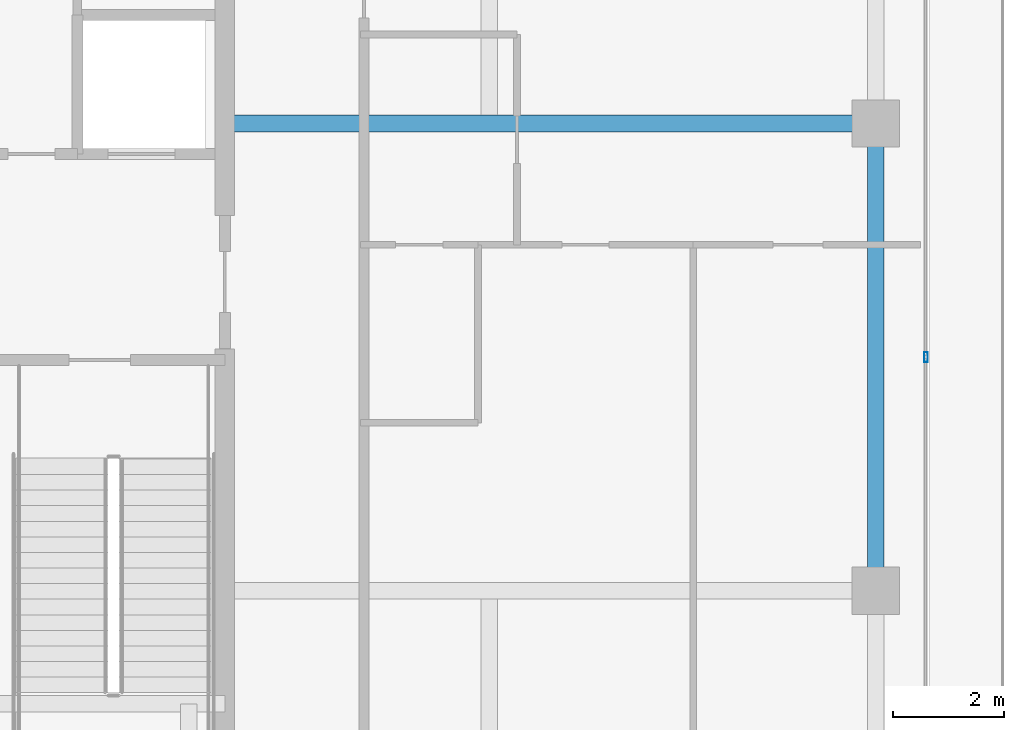
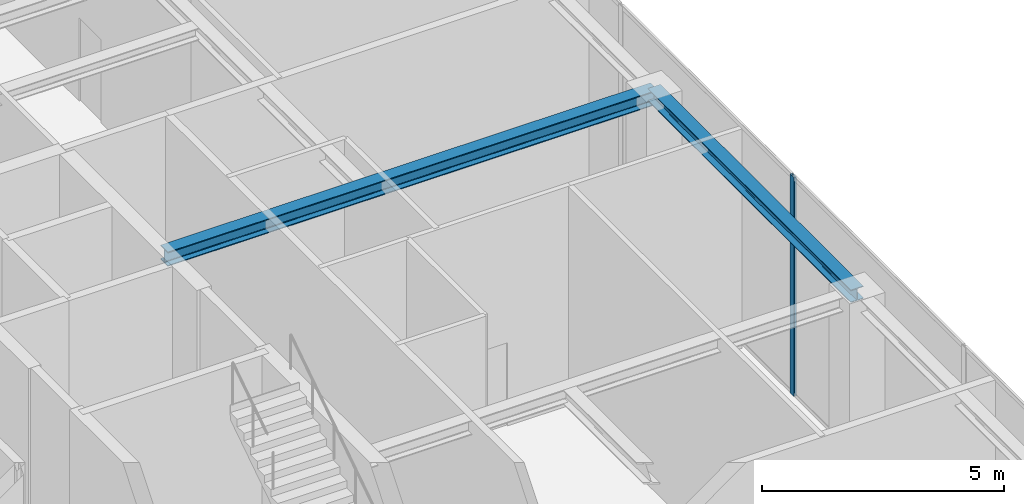
# One storey, part 15 of 38: 2 beams, 1 member, 1 element without a shape of its own.
"""IFC4 building model written with IfcOpenShell, lengths in metres."""

from ifc_helpers import new_model, si_unit, direction, frame, origin, origin_2d, place, context, subcontext, project, spatial, hollow_rectangle, i_section, extrude, source, transform, mapped, material, layer, layer_set, material_profile, profile_set, type_object, element, aggregate, save


model = new_model("IFC4")

# Units and contexts
model_context = context("Model", 3, precision=1e-05, world=origin(), true_north=direction((0.0, 1.0)))
body_context = subcontext(model_context, "Body", "Model", "MODEL_VIEW")
ifc_project = project(units=[si_unit("LENGTHUNIT", "METRE"), si_unit("AREAUNIT", "SQUARE_METRE"), si_unit("VOLUMEUNIT", "CUBIC_METRE"), si_unit("PLANEANGLEUNIT", "RADIAN"), si_unit("MASSUNIT", "GRAM", prefix="KILO")], contexts=[model_context])

# Site, building, storey
site_placement = place(None, origin())
site = spatial("IfcSite", under=ifc_project, at=site_placement, CompositionType="ELEMENT")
building_placement = place(site_placement, origin())
building = spatial("IfcBuilding", under=site, at=building_placement, Name="Serunith Strait Residences", CompositionType="ELEMENT")
storey_placement = place(building_placement, frame((0.0, 0.0, 353.85009765625)))
storey = spatial("IfcBuildingStorey", under=building, at=storey_placement, Name="L87", CompositionType="ELEMENT", Elevation=353.85009765625)

# Beams
ifc_material_1 = material(Name="Steel S355J2", Category="steel")
ifc_material_profile_1 = material_profile(ifc_material_1, i_section(OverallWidth=0.300048828125, OverallDepth=0.360107421875, WebThickness=0.012451171875, FlangeThickness=0.0224609375, FilletRadius=0.027099609375, at=origin_2d()), Name="HEB 360")
ifc_profile_set_1 = profile_set([ifc_material_profile_1], Name="Steel S355J2")
beam_type_1 = type_object("IfcBeamType", Name="BM-HEB360", PredefinedType="BEAM", material=ifc_profile_set_1)
shared_shape_1 = source(origin(), body_context, "Body", "SweptSolid", [
    extrude(i_section(OverallWidth=0.300048828125, OverallDepth=0.360107421875, WebThickness=0.012451171875, FlangeThickness=0.0224609375, FilletRadius=0.027099609375, at=origin_2d()), origin(), (0.0, 0.0, 1.0), 11.7001953125),
])
beam_1_placement = place(storey_placement, frame((41.39990234375, 29.39990234375, 5.35693359375), z_axis=(1.0, 0.0, 0.0), x_axis=(0.0, 1.0, 0.0)))
element("IfcBeam", 1, at=beam_1_placement, inside=storey, type_object=beam_type_1, Name="L87 Primary Floor Girder TC-E3", PredefinedType="BEAM", context=body_context, shape_type="MappedRepresentation", body=[
    mapped(shared_shape_1, transform((0.0, 0.0, 0.0), scale=1.0)),
])
ifc_material_profile_2 = material_profile(ifc_material_1, i_section(OverallWidth=0.300048828125, OverallDepth=0.320068359375, WebThickness=0.011474609375, FlangeThickness=0.0205078125, FilletRadius=0.027099609375, at=origin_2d()), Name="HEB 320")
ifc_profile_set_2 = profile_set([ifc_material_profile_2], Name="Steel S355J2")
beam_type_2 = type_object("IfcBeamType", Name="BM-HEB320", PredefinedType="BEAM", material=ifc_profile_set_2)
shared_shape_2 = source(origin(), body_context, "Body", "SweptSolid", [
    extrude(i_section(OverallWidth=0.300048828125, OverallDepth=0.320068359375, WebThickness=0.011474609375, FlangeThickness=0.0205078125, FilletRadius=0.027099609375, at=origin_2d()), origin(), (0.0, 0.0, 1.0), 8.39990234375),
])
beam_2_placement = place(storey_placement, frame((53.10009765625, 21.0, 5.376953125), z_axis=(0.0, 1.0, 0.0), x_axis=(-1.0, 0.0, 0.0)))
element("IfcBeam", 2, at=beam_2_placement, inside=storey, type_object=beam_type_2, Name="L87 Perimeter Ring Beam 06", PredefinedType="BEAM", context=body_context, shape_type="MappedRepresentation", body=[
    mapped(shared_shape_2, transform((0.0, 0.0, 0.0), scale=1.0)),
])

# Curtain wall, member
ifc_material_2 = material(Name="Brushed Stainless-Silver Aluminium", Category="aluminium")
ifc_layer = layer(ifc_material_2, 0.199951171875, Name="Brushed Stainless-Silver Aluminium")
ifc_layer_set = layer_set([ifc_layer], Name="Brushed Stainless-Silver Aluminium")
curtain_wall_type = type_object("IfcCurtainWallType", Name="CW-SYS5", PredefinedType="NOTDEFINED", material=ifc_layer_set)
curtain_wall_placement = place(storey_placement, origin())
curtain_wall = element("IfcCurtainWall", 3, at=curtain_wall_placement, inside=storey, type_object=curtain_wall_type, Name="L87 E Unitised Fritted Curtain Wall", PredefinedType="NOTDEFINED")
ifc_material_profile_3 = material_profile(ifc_material_2, hollow_rectangle(XDim=0.06494140625, YDim=0.179931640625, WallThickness=0.00341796875, InnerFilletRadius=0.00537109375, OuterFilletRadius=0.0087890625, at=origin_2d()), Name="ALU 180x65x3.5")
ifc_profile_set_3 = profile_set([ifc_material_profile_3], Name="Brushed Stainless-Silver Aluminium")
member_type = type_object("IfcMemberType", Name="CW-SYS5-MULL", PredefinedType="MULLION", material=ifc_profile_set_3)
shared_shape_3 = source(origin(), body_context, "Body", "SweptSolid", [
    extrude(hollow_rectangle(XDim=0.06494140625, YDim=0.179931640625, WallThickness=0.00341796875, InnerFilletRadius=0.00537109375, OuterFilletRadius=0.0087890625, at=origin_2d()), origin(), (0.0, 0.0, 1.0), 5.52490234375),
])
member_placement = place(storey_placement, frame((54.0, 25.199951171875, 0.0), z_axis=(0.0, 0.0, 1.0), x_axis=(-1.0, 0.0, 0.0)))
member = element("IfcMember", 4, at=member_placement, type_object=member_type, Name="CW-5 mullion 3", PredefinedType="MULLION", context=body_context, shape_type="MappedRepresentation", body=[
    mapped(shared_shape_3, transform((0.0, 0.0, 0.0), scale=1.0)),
])
aggregate(curtain_wall, [member])

save(model, "model.ifc")
